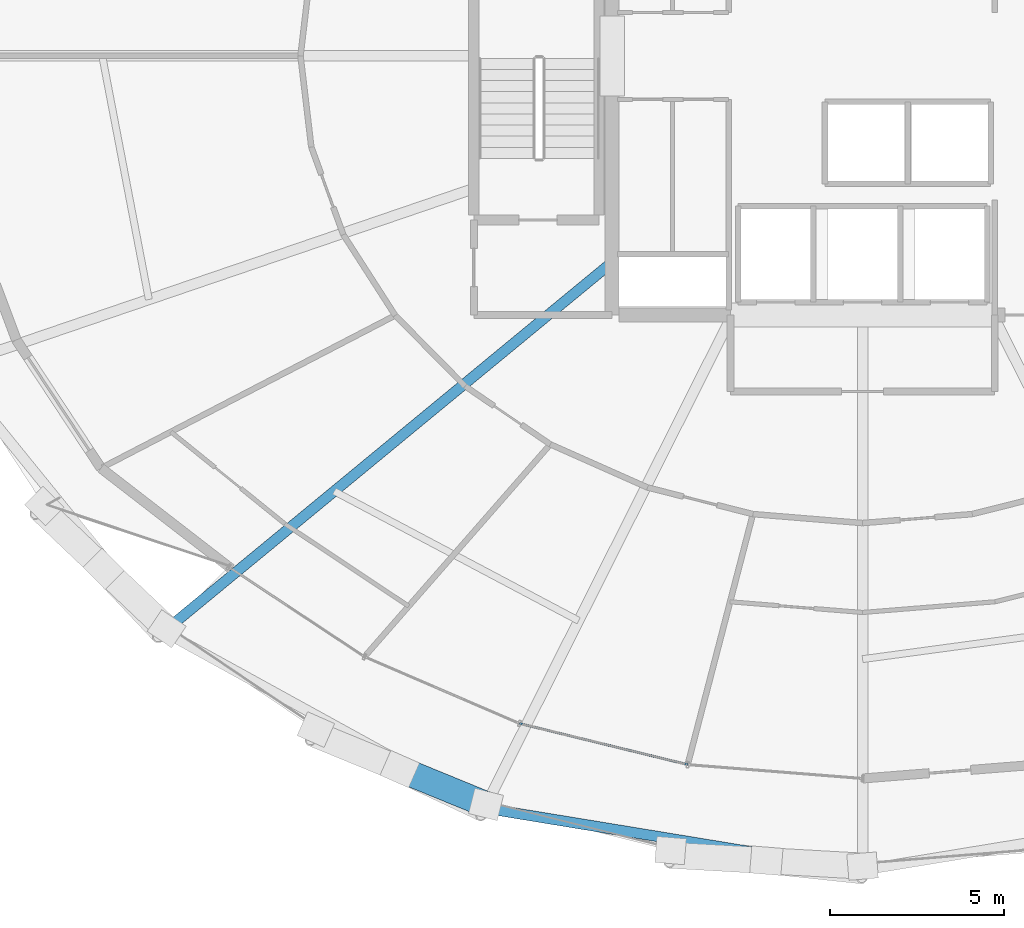
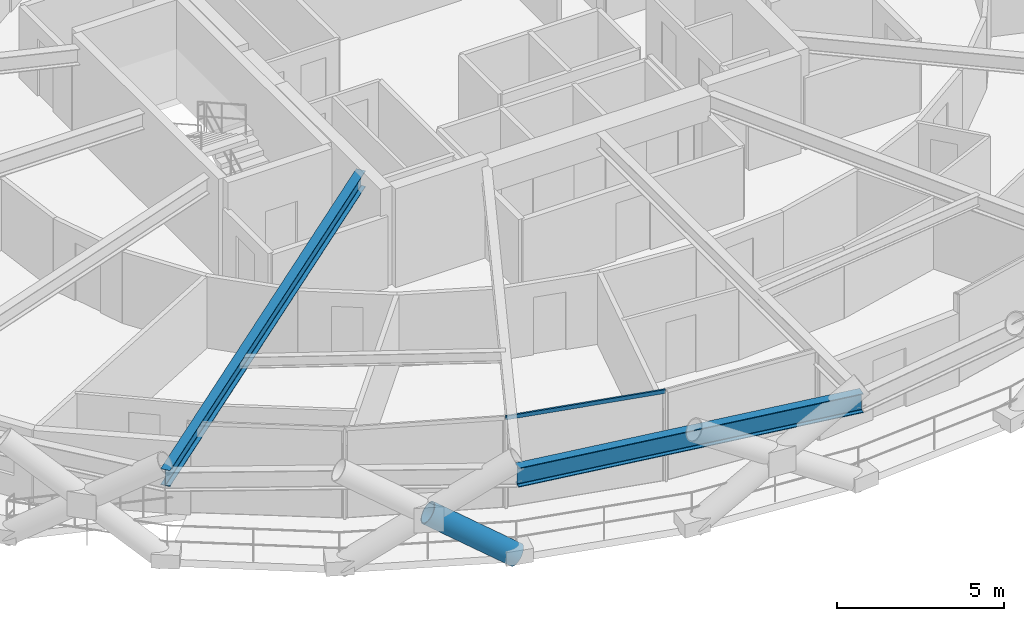
# One storey, part 3 of 20: 2 beams, 2 members, 1 element without a shape of its own.
"""IFC4 building model written with IfcOpenShell, lengths in metres."""

from ifc_helpers import new_model, si_unit, direction, frame, origin, origin_2d, place, context, subcontext, project, spatial, hollow_rectangle, hollow_circle, i_section, extrude, material, layer, layer_set, material_profile, profile_set, type_object, element, aggregate, save


model = new_model("IFC4")

# Units and contexts
model_context = context("Model", 3, precision=1e-05, world=origin(), true_north=direction((0.0, 1.0)))
body_context = subcontext(model_context, "Body", "Model", "MODEL_VIEW")
ifc_project = project(units=[si_unit("LENGTHUNIT", "METRE"), si_unit("AREAUNIT", "SQUARE_METRE"), si_unit("VOLUMEUNIT", "CUBIC_METRE"), si_unit("PLANEANGLEUNIT", "RADIAN"), si_unit("MASSUNIT", "GRAM", prefix="KILO")], contexts=[model_context])

# Site, building, storey
site_placement = place(None, origin())
site = spatial("IfcSite", under=ifc_project, at=site_placement, CompositionType="ELEMENT")
building_placement = place(site_placement, origin())
building = spatial("IfcBuilding", under=site, at=building_placement, Name="Veldorina Hangang Commons", CompositionType="ELEMENT")
storey_placement = place(building_placement, frame((0.0, 0.0, 48.39990234375)))
storey = spatial("IfcBuildingStorey", under=building, at=storey_placement, Name="L11", CompositionType="ELEMENT", Elevation=48.39990234375)

# Beams
ifc_material_1 = material(Name="Steel SM460-TMC", Category="steel")
ifc_material_profile_1 = material_profile(ifc_material_1, i_section(OverallWidth=0.300048828125, OverallDepth=0.587890625, WebThickness=0.011962890625, FlangeThickness=0.02001953125, FilletRadius=0.01806640625, at=origin_2d()), Name="H-588x300x12x20")
ifc_profile_set_1 = profile_set([ifc_material_profile_1], Name="Steel SM460-TMC")
beam_type_1 = type_object("IfcBeamType", Name="BM-FG588", PredefinedType="BEAM", material=ifc_profile_set_1)
beam_1_placement = place(storey_placement, frame((24.800048828125, 18.067138671875, 3.046142578125), z_axis=(-0.771747509972, -0.635929069042, 0.0), x_axis=(0.635929069042, -0.771747509972, 0.0)))
element("IfcBeam", 1, at=beam_1_placement, inside=storey, type_object=beam_type_1, Name="L11 radial floor girder 11", PredefinedType="BEAM", context=body_context, shape_type="SweptSolid", body=[
    extrude(i_section(OverallWidth=0.300048828125, OverallDepth=0.587890625, WebThickness=0.011962890625, FlangeThickness=0.02001953125, FilletRadius=0.01806640625, at=origin_2d()), origin(), (0.0, 0.0, 1.0), 16.702880859375),
])
ifc_material_profile_2 = material_profile(ifc_material_1, i_section(OverallWidth=0.300048828125, OverallDepth=0.699951171875, WebThickness=0.012939453125, FlangeThickness=0.02392578125, FilletRadius=0.02197265625, at=origin_2d()), Name="H-700x300x13x24")
ifc_profile_set_2 = profile_set([ifc_material_profile_2], Name="Steel SM460-TMC")
beam_type_2 = type_object("IfcBeamType", Name="BM-RB700", PredefinedType="BEAM", material=ifc_profile_set_2)
beam_2_placement = place(storey_placement, frame((21.127197265625, 2.3701171875, 2.989990234375), z_axis=(0.98683056452, -0.161757339643, 0.0), x_axis=(0.161757339643, 0.98683056452, 0.0)))
element("IfcBeam", 2, at=beam_2_placement, inside=storey, type_object=beam_type_2, Name="L11 perimeter hoop ring beam 22", PredefinedType="BEAM", context=body_context, shape_type="SweptSolid", body=[
    extrude(i_section(OverallWidth=0.300048828125, OverallDepth=0.699951171875, WebThickness=0.012939453125, FlangeThickness=0.02392578125, FilletRadius=0.02197265625, at=origin_2d()), origin(), (0.0, 0.0, 1.0), 11.017822265625),
])

# Curtain wall, member
ifc_material_2 = material(Name="Glass Low-E Triple IGU", Category="glass")
ifc_layer = layer(ifc_material_2, 0.179931640625)
ifc_layer_set = layer_set([ifc_layer], Name="Glass Low-E Triple IGU")
curtain_wall_type = type_object("IfcCurtainWallType", Name="CW-SYS-Z1", PredefinedType="NOTDEFINED", material=ifc_layer_set)
curtain_wall_placement = place(storey_placement, origin())
curtain_wall = element("IfcCurtainWall", 3, at=curtain_wall_placement, inside=storey, type_object=curtain_wall_type, Name="L11 unitised curtain wall CW-L11-R1", PredefinedType="NOTDEFINED")
ifc_material_3 = material(Name="Aluminium Anodized AA6063-T6", Category="aluminium")
ifc_material_profile_3 = material_profile(ifc_material_3, hollow_rectangle(XDim=0.06005859375, YDim=0.139892578125, WallThickness=0.00341796875, at=origin_2d()), Name="ALU-RHS-140x60x3.5")
ifc_profile_set_3 = profile_set([ifc_material_profile_3], Name="Aluminium Anodized AA6063-T6")
member_type_1 = type_object("IfcMemberType", Name="CW-TRN-140", PredefinedType="USERDEFINED", material=ifc_profile_set_3)
member_1_placement = place(storey_placement, frame((22.13525390625, 4.8037109375, 3.260009765625), z_axis=(0.971373108604, -0.237559011364, 0.0), x_axis=(0.237559011364, 0.971373108604, 0.0)))
member_1 = element("IfcMember", 4, at=member_1_placement, type_object=member_type_1, Name="CW-L11-R1 facet 3 transom 1", ObjectType="TRANSOM", PredefinedType="USERDEFINED", context=body_context, shape_type="SweptSolid", body=[
    extrude(hollow_rectangle(XDim=0.06005859375, YDim=0.139892578125, WallThickness=0.00341796875, at=origin_2d()), origin(), (0.0, 0.0, 1.0), 4.978271484375),
])
aggregate(curtain_wall, [member_1])

# Member
ifc_material_profile_4 = material_profile(ifc_material_1, hollow_circle(Radius=0.375, WallThickness=0.035888671875, at=origin_2d()), Name="CHS-750x36")
ifc_profile_set_4 = profile_set([ifc_material_profile_4], Name="Steel SM460-TMC")
member_type_2 = type_object("IfcMemberType", Name="DG-CHS750", PredefinedType="BRACE", material=ifc_profile_set_4)
member_2_placement = place(storey_placement, frame((21.1708984375, 2.4755859375, 0.0), z_axis=(-0.768577086098, 0.315016672109, 0.556824711214), x_axis=(-0.379250282371, -0.925294128006, 0.0)))
element("IfcMember", 5, at=member_2_placement, inside=storey, type_object=member_type_2, Name="L11 split perimeter diagrid lower brace 22", PredefinedType="BRACE", context=body_context, shape_type="SweptSolid", body=[
    extrude(hollow_circle(Radius=0.375, WallThickness=0.035888671875, at=origin_2d()), origin(), (0.0, 0.0, 1.0), 3.224853515625),
])

save(model, "model.ifc")
